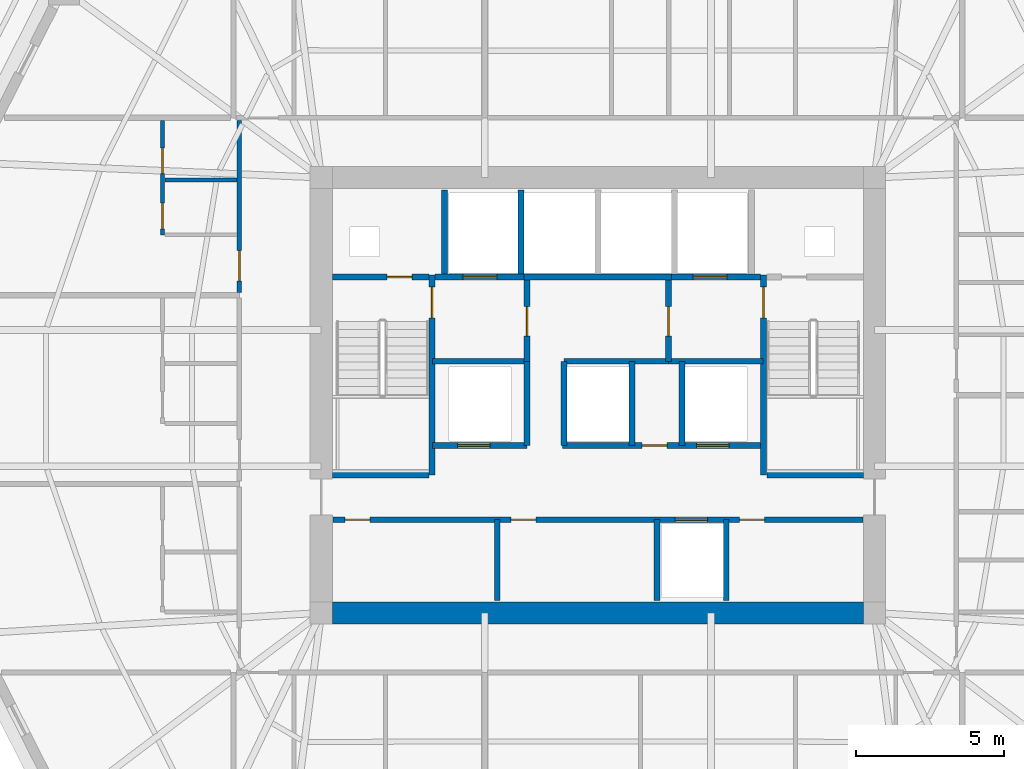
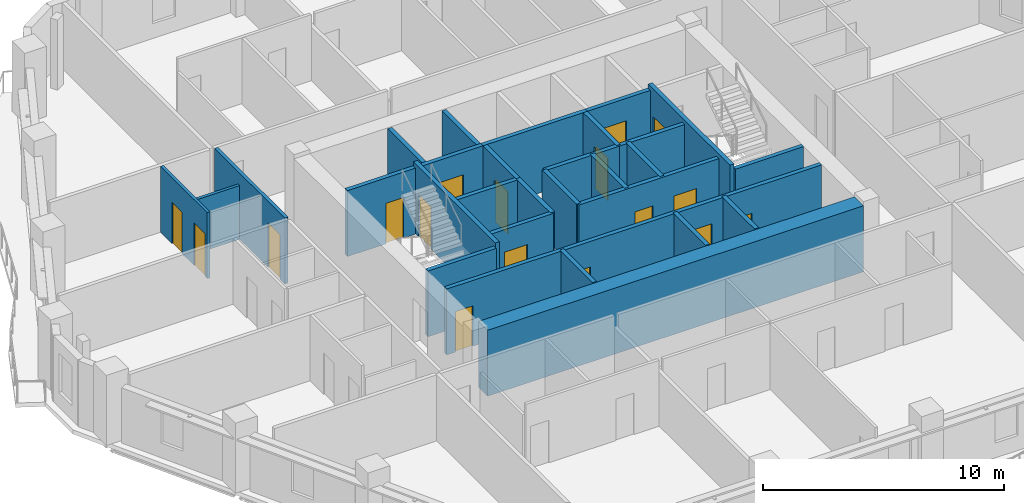
# One storey, part 5 of 12: 29 walls, 17 doors, 17 openings.
"""IFC4 building model written with IfcOpenShell, lengths in metres."""

import ifcopenshell
import ifcopenshell.guid

model = None  # the IFC model being written
_history = None  # IfcOwnerHistory: only IFC2X3 demands one
_inside = {}  # id of a spatial element -> (the spatial element, [elements in it])
_under = {}  # id of a project, library or spatial element -> (it, [spatial elements below it])
_declared = {}  # id of a project -> (the project, [libraries it declares])
_typed = {}  # id of a type object -> (the type object, [elements of that type])
_made_of = {}  # id of a material, layer set ... -> (it, [elements and type objects made of it])


def new_model(schema):
    """Start an empty IFC model of exactly this schema.

    Asked for "IFC4X3", IfcOpenShell would pick the latest addendum, in which some entities
    have other attributes; the version numbers below select the first issue.
    IFC2X3 requires an IfcOwnerHistory on every rooted entity: one is made here for all.
    """
    global model, _history
    if schema == "IFC4X3":
        model = ifcopenshell.file(schema_version=(4, 3, 0, 0))
    else:
        model = ifcopenshell.file(schema=schema)
    _inside.clear()
    _under.clear()
    _declared.clear()
    _typed.clear()
    _made_of.clear()
    _history = None
    if model.schema == "IFC2X3":
        org = make("IfcOrganization", Name="unknown")
        user = make(
            "IfcPersonAndOrganization",
            ThePerson=make("IfcPerson", FamilyName="unknown"),
            TheOrganization=org,
        )
        app = make(
            "IfcApplication",
            ApplicationDeveloper=org,
            Version="unknown",
            ApplicationFullName="unknown",
            ApplicationIdentifier="unknown",
        )
        _history = make(
            "IfcOwnerHistory",
            OwningUser=user,
            OwningApplication=app,
            ChangeAction="ADDED",
            CreationDate=0,
        )
    return model


def make(cls, **values):
    """One entity of the class cls with the attributes given. An attribute that is None is left unset."""
    return model.create_entity(
        cls, **{name: value for name, value in values.items() if value is not None}
    )


def rooted(cls, **values):
    """An entity with a GlobalId (a new one), such as an element, a storey or a relation."""
    return make(cls, GlobalId=ifcopenshell.guid.new(), OwnerHistory=_history, **values)


def si_unit(unit_type, name, prefix=None):
    """IfcSIUnit, for example si_unit("LENGTHUNIT", "METRE", prefix="MILLI")."""
    return make("IfcSIUnit", UnitType=unit_type, Prefix=prefix, Name=name)


def assignment(units):
    """IfcUnitAssignment: the units of a project."""
    return None if units is None else make("IfcUnitAssignment", Units=units)


def point(xyz):
    """IfcCartesianPoint."""
    return None if xyz is None else make("IfcCartesianPoint", Coordinates=xyz)


def direction(xyz):
    """IfcDirection."""
    return None if xyz is None else make("IfcDirection", DirectionRatios=xyz)


def frame(location, z_axis=None, x_axis=None):
    """IfcAxis2Placement3D, a coordinate frame: its origin and axes. An axis left out is left unset."""
    return make(
        "IfcAxis2Placement3D",
        Location=point(location),
        Axis=direction(z_axis),
        RefDirection=direction(x_axis),
    )


def frame_2d(location, x_axis=None):
    """IfcAxis2Placement2D, a coordinate frame in the plane: its origin and x axis."""
    return make(
        "IfcAxis2Placement2D", Location=point(location), RefDirection=direction(x_axis)
    )


def origin():
    """The frame at (0, 0, 0) with its axes left unset."""
    return frame((0.0, 0.0, 0.0))


def place(relative_to, where):
    """IfcLocalPlacement: puts the frame where relative to a parent placement (None: the world)."""
    return make(
        "IfcLocalPlacement", PlacementRelTo=relative_to, RelativePlacement=where
    )


def context(
    kind, dimensions, precision=None, world=None, true_north=None, identifier=None
):
    """IfcGeometricRepresentationContext, for example the 3D "Model" context."""
    return make(
        "IfcGeometricRepresentationContext",
        ContextIdentifier=identifier,
        ContextType=kind,
        CoordinateSpaceDimension=dimensions,
        Precision=precision,
        WorldCoordinateSystem=world,
        TrueNorth=true_north,
    )


def subcontext(parent, identifier, kind, view, scale=None):
    """IfcGeometricRepresentationSubContext, for example "Body" below "Model"."""
    return make(
        "IfcGeometricRepresentationSubContext",
        ContextIdentifier=identifier,
        ContextType=kind,
        ParentContext=parent,
        TargetScale=scale,
        TargetView=view,
    )


def project(units=None, contexts=None):
    """IfcProject with its units and contexts."""
    return rooted(
        "IfcProject",
        Name="project",
        RepresentationContexts=contexts,
        UnitsInContext=assignment(units),
    )


def spatial(cls, under=None, at=None, **own):
    """A site, building, storey or space (cls), placed at a placement, below another one or the project."""
    s = rooted(cls, ObjectPlacement=at, **own)
    if under is not None:
        _under.setdefault(under.id(), (under, []))[1].append(s)
    return s


def profile(cls, at=None, kind="AREA", **sizes):
    """A parametric profile (cls). Its sizes go by their IFC names, for example OverallWidth=200.0."""
    return make(cls, ProfileType=kind, Position=at, **sizes)


def rectangle(**sizes):
    """IfcRectangleProfileDef."""
    return profile("IfcRectangleProfileDef", **sizes)


def extrude(swept, where, along, depth):
    """IfcExtrudedAreaSolid: the profile swept, set in the frame where, extruded along a direction by depth."""
    return make(
        "IfcExtrudedAreaSolid",
        SweptArea=swept,
        Position=where,
        ExtrudedDirection=direction(along),
        Depth=depth,
    )


def shape(context_of_items, identifier, shape_type, items):
    """IfcShapeRepresentation: the items that make up one representation, for example the "Body"."""
    return make(
        "IfcShapeRepresentation",
        ContextOfItems=context_of_items,
        RepresentationIdentifier=identifier,
        RepresentationType=shape_type,
        Items=items,
    )


def material(Name=None, Category=None):
    """IfcMaterial."""
    return make("IfcMaterial", Name=Name, Category=Category)


def layer(
    of_material, thickness, ventilated=None, Name=None, Category=None, Priority=None
):
    """IfcMaterialLayer: one layer of a wall or slab, of a material (None: an air gap)."""
    return make(
        "IfcMaterialLayer",
        Material=of_material,
        LayerThickness=thickness,
        IsVentilated=ventilated,
        Name=Name,
        Category=Category,
        Priority=Priority,
    )


def layer_set(layers, Name=None):
    """IfcMaterialLayerSet."""
    return make("IfcMaterialLayerSet", MaterialLayers=layers, LayerSetName=Name)


def made_of(thing, what):
    """Note that an element or type object is made of a material, layer set ...; save() writes the relation."""
    if what is not None:
        _made_of.setdefault(what.id(), (what, []))[1].append(thing)
    return thing


def type_object(cls, material=None, **own):
    """A type object (cls), such as IfcWallType, which elements share."""
    return made_of(rooted(cls, **own), material)


def element(
    cls,
    number,
    at=None,
    inside=None,
    cuts=None,
    type_object=None,
    material=None,
    context=None,
    identifier="Body",
    shape_type=None,
    held_by="IfcProductDefinitionShape",
    body=None,
    shapes=None,
    **own,
):
    """One element of the class cls, such as IfcWall. Its Tag is "e" and its number.

    at: its placement. inside: the storey or other place that contains it. cuts: it is an
    opening in that element (IfcRelVoidsElement). A single representation is given by context,
    identifier, shape_type and body (its items); several are given by shapes. held_by: the class
    of the entity that holds the representations. save() writes the other relations.
    """
    e = rooted(cls, Tag="e%d" % number, ObjectPlacement=at, **own)
    if body is not None:
        shapes = [shape(context, identifier, shape_type, body)]
    if shapes is not None:
        e.Representation = make(held_by, Representations=shapes)
    if inside is not None:
        _inside.setdefault(inside.id(), (inside, []))[1].append(e)
    if cuts is not None:
        rooted(
            "IfcRelVoidsElement", RelatingBuildingElement=cuts, RelatedOpeningElement=e
        )
    if type_object is not None:
        _typed.setdefault(type_object.id(), (type_object, []))[1].append(e)
    return made_of(e, material)


def fill(opening, filler):
    """IfcRelFillsElement: the door or window that sits in an opening."""
    return rooted(
        "IfcRelFillsElement",
        RelatingOpeningElement=opening,
        RelatedBuildingElement=filler,
    )


def aggregate(whole, parts):
    """IfcRelAggregates: a whole, such as a stair, and the parts it consists of."""
    return rooted("IfcRelAggregates", RelatingObject=whole, RelatedObjects=parts)


def save(model, path):
    """Write the relations noted so far, then the file.

    IfcRelAggregates (storeys below a building ...), IfcRelContainedInSpatialStructure (elements
    in a storey), IfcRelDefinesByType, IfcRelAssociatesMaterial and IfcRelDeclares: one each for
    every whole, place, type object, material and project.
    """
    for whole, parts in _under.values():
        aggregate(whole, parts)
    for where, things in _inside.values():
        rooted(
            "IfcRelContainedInSpatialStructure",
            RelatedElements=things,
            RelatingStructure=where,
        )
    for kind, things in _typed.values():
        rooted("IfcRelDefinesByType", RelatedObjects=things, RelatingType=kind)
    for what, things in _made_of.values():
        rooted("IfcRelAssociatesMaterial", RelatedObjects=things, RelatingMaterial=what)
    for by, libraries in _declared.values():
        rooted("IfcRelDeclares", RelatingContext=by, RelatedDefinitions=libraries)
    model.write(path)


model = new_model("IFC4")

# Units and contexts
model_context = context("Model", 3, precision=1e-05, world=origin(), true_north=direction((0.0, 1.0)))
body_context = subcontext(model_context, "Body", "Model", "MODEL_VIEW")
ifc_project = project(units=[si_unit("LENGTHUNIT", "METRE"), si_unit("AREAUNIT", "SQUARE_METRE"), si_unit("VOLUMEUNIT", "CUBIC_METRE"), si_unit("PLANEANGLEUNIT", "RADIAN"), si_unit("MASSUNIT", "GRAM", prefix="KILO")], contexts=[model_context])

# Site, building, storey
site_placement = place(None, origin())
site = spatial("IfcSite", under=ifc_project, at=site_placement, CompositionType="ELEMENT")
building_placement = place(site_placement, origin())
building = spatial("IfcBuilding", under=site, at=building_placement, Name="Cinnabar Lancet Tower", CompositionType="ELEMENT")
storey_placement = place(building_placement, frame((0.0, 0.0, 137.449951171875)))
storey = spatial("IfcBuildingStorey", under=building, at=storey_placement, Name="L36", CompositionType="ELEMENT", Elevation=137.449951171875)

# Wall, opening, door
ifc_material_1 = material(Name="Acoustic twin-stud gypsum partition", Category="gypsum")
ifc_layer_1 = layer(ifc_material_1, 0.159912109375)
ifc_layer_set_1 = layer_set([ifc_layer_1], Name="Acoustic twin-stud gypsum partition")
wall_type_1 = type_object("IfcWallType", Name="ARC-WL-CORR-160", PredefinedType="PARTITIONING", material=ifc_layer_set_1)
wall_1_placement = place(storey_placement, frame((20.25, 29.37890625, 0.0), z_axis=(0.0, 0.0, 1.0), x_axis=(0.0, 1.0, 0.0)))
wall_1 = element("IfcWall", 1, at=wall_1_placement, inside=storey, type_object=wall_type_1, Name="UW-L36-W03-COR", PredefinedType="PARTITIONING", context=body_context, shape_type="SweptSolid", body=[
    extrude(rectangle(XDim=5.826171875, YDim=0.159912109375, at=frame_2d((2.9130859375, 0.0))), origin(), (0.0, 0.0, 1.0), 3.340087890625),
])
opening_1_placement = place(wall_1_placement, frame((0.39990234375, 0.0, 0.0)))
opening_1 = element("IfcOpeningElement", 2, at=opening_1_placement, cuts=wall_1, Name="Opening UD-01", PredefinedType="OPENING", context=body_context, shape_type="SweptSolid", body=[
    extrude(rectangle(XDim=1.02001953125, YDim=2.25, at=frame_2d((0.510009765625, 1.125))), frame((0.0, 0.08984375, 0.0), z_axis=(0.0, -1.0, 0.0), x_axis=(1.0, 0.0, 0.0)), (0.0, 0.0, 1.0), 0.179931640625),
])
ifc_material_2 = material(Name="Solid timber fire-rated apartment entrance door", Category="wood")
door_type_1 = type_object("IfcDoorType", Name="ARC-DR-UNIT", OperationType="NOTDEFINED", PredefinedType="DOOR", material=ifc_material_2)
door_1_placement = place(opening_1_placement, origin())
door_1 = element("IfcDoor", 3, at=door_1_placement, inside=storey, type_object=door_type_1, Name="DR-L36-W03-ENT", OperationType="SINGLE_SWING_LEFT", OverallHeight=2.25, OverallWidth=1.02001953125, PredefinedType="DOOR", context=body_context, shape_type="SweptSolid", body=[
    extrude(rectangle(XDim=1.02001953125, YDim=2.25, at=frame_2d((0.510009765625, 1.125))), frame((0.0, 0.02490234375, 0.0), z_axis=(0.0, -1.0, 0.0), x_axis=(1.0, 0.0, 0.0)), (0.0, 0.0, 1.0), 0.050048828125),
])
fill(opening_1, door_1)

# Walls
ifc_material_3 = material(Name="Autoclaved aerated concrete blockwork", Category="masonry")
ifc_layer_2 = layer(ifc_material_3, 0.199951171875)
ifc_layer_set_2 = layer_set([ifc_layer_2], Name="Autoclaved aerated concrete blockwork")
wall_type_2 = type_object("IfcWallType", Name="ARC-WL-SHAFT-200", PredefinedType="PLUMBINGWALL", material=ifc_layer_set_2)
for number, where, z_axis, x_axis, name in (
    (4, (23.405029296875, 23.199951171875, 0.0), (0.0, 0.0, 1.0), (1.0, 0.0, 0.0), "CW-ST1S-L36"),
    (5, (38.125, 23.199951171875, 0.0), (0.0, 0.0, 1.0), (1.0, 0.0, 0.0), "CW-ST2S-L36"),
):
    element("IfcWall", number, at=place(storey_placement, frame(where, z_axis=z_axis, x_axis=x_axis)), inside=storey, type_object=wall_type_2, Name=name, PredefinedType="PLUMBINGWALL", context=body_context, shape_type="SweptSolid", body=[
        extrude(rectangle(XDim=3.27001953125, YDim=0.199951171875, at=frame_2d((1.635009765625, 0.0))), origin(), (0.0, 0.0, 1.0), 3.340087890625),
    ])

# Wall, opening, door
wall_2_placement = place(storey_placement, frame((23.405029296875, 29.89990234375, 0.0), z_axis=(0.0, 0.0, 1.0), x_axis=(1.0, 0.0, 0.0)))
wall_2 = element("IfcWall", 6, at=wall_2_placement, inside=storey, type_object=wall_type_2, Name="CW-NSH-W-L36", PredefinedType="PLUMBINGWALL", context=body_context, shape_type="SweptSolid", body=[
    extrude(rectangle(XDim=3.27001953125, YDim=0.199951171875, at=frame_2d((1.635009765625, 0.0))), origin(), (0.0, 0.0, 1.0), 3.340087890625),
])
opening_2_placement = place(wall_2_placement, frame((1.85009765625, 0.0, 0.0)))
opening_2 = element("IfcOpeningElement", 7, at=opening_2_placement, cuts=wall_2, Name="Opening PD-02", PredefinedType="OPENING", context=body_context, shape_type="SweptSolid", body=[
    extrude(rectangle(XDim=0.85009765625, YDim=2.050048828125, at=frame_2d((0.425048828125, 1.02490234375))), frame((0.0, 0.10986328125, 0.0), z_axis=(0.0, -1.0, 0.0), x_axis=(1.0, 0.0, 0.0)), (0.0, 0.0, 1.0), 0.219970703125),
])
ifc_material_4 = material(Name="Fire-rated steel riser access door", Category="steel")
door_type_2 = type_object("IfcDoorType", Name="ARC-DR-RISER", OperationType="NOTDEFINED", PredefinedType="DOOR", material=ifc_material_4)
door_2_placement = place(opening_2_placement, origin())
door_2 = element("IfcDoor", 8, at=door_2_placement, inside=storey, type_object=door_type_2, Name="L36 West Riser Access Door", OperationType="SINGLE_SWING_LEFT", OverallHeight=2.050048828125, OverallWidth=0.85009765625, PredefinedType="DOOR", context=body_context, shape_type="SweptSolid", body=[
    extrude(rectangle(XDim=0.85009765625, YDim=2.050048828125, at=frame_2d((0.425048828125, 1.02490234375))), frame((0.0, 0.02490234375, 0.0), z_axis=(0.0, -1.0, 0.0), x_axis=(1.0, 0.0, 0.0)), (0.0, 0.0, 1.0), 0.050048828125),
])
fill(opening_2, door_2)

wall_3_placement = place(storey_placement, frame((26.885009765625, 29.89990234375, 0.0), z_axis=(0.0, 0.0, 1.0), x_axis=(1.0, 0.0, 0.0)))
wall_3 = element("IfcWall", 9, at=wall_3_placement, inside=storey, type_object=wall_type_2, Name="CW-FL1-L36", PredefinedType="PLUMBINGWALL", context=body_context, shape_type="SweptSolid", body=[
    extrude(rectangle(XDim=3.014892578125, YDim=0.199951171875, at=frame_2d((1.50732421875, 0.0))), origin(), (0.0, 0.0, 1.0), 3.340087890625),
])
opening_3_placement = place(wall_3_placement, frame((0.93994140625, 0.0, 0.0)))
opening_3 = element("IfcOpeningElement", 10, at=opening_3_placement, cuts=wall_3, Name="Opening LD-02", PredefinedType="OPENING", context=body_context, shape_type="SweptSolid", body=[
    extrude(rectangle(XDim=1.14990234375, YDim=2.199951171875, at=frame_2d((0.574951171875, 1.10009765625))), frame((0.0, 0.10986328125, 0.0), z_axis=(0.0, -1.0, 0.0), x_axis=(1.0, 0.0, 0.0)), (0.0, 0.0, 1.0), 0.219970703125),
])
ifc_material_5 = material(Name="Fire-rated stainless steel firefighting lift landing door", Category="steel")
door_type_3 = type_object("IfcDoorType", Name="ARC-DR-LD-FIRE", OperationType="NOTDEFINED", PredefinedType="DOOR", material=ifc_material_5)
door_3_placement = place(opening_3_placement, origin())
door_3 = element("IfcDoor", 11, at=door_3_placement, inside=storey, type_object=door_type_3, Name="L36 Firefighting Lift FL-1 Landing Door", OperationType="DOUBLE_DOOR_SLIDING", OverallHeight=2.199951171875, OverallWidth=1.14990234375, PredefinedType="DOOR", context=body_context, shape_type="SweptSolid", body=[
    extrude(rectangle(XDim=1.14990234375, YDim=2.199951171875, at=frame_2d((0.574951171875, 1.10009765625))), frame((0.0, 0.02490234375, 0.0), z_axis=(0.0, -1.0, 0.0), x_axis=(1.0, 0.0, 0.0)), (0.0, 0.0, 1.0), 0.050048828125),
])
fill(opening_3, door_3)

# Wall
wall_4_placement = place(storey_placement, frame((29.89990234375, 29.89990234375, 0.0), z_axis=(0.0, 0.0, 1.0), x_axis=(1.0, 0.0, 0.0)))
element("IfcWall", 12, at=wall_4_placement, inside=storey, type_object=wall_type_2, Name="CW-PL78-L36", PredefinedType="PLUMBINGWALL", context=body_context, shape_type="SweptSolid", body=[
    extrude(rectangle(XDim=5.0, YDim=0.199951171875, at=frame_2d((2.5, 0.0))), origin(), (0.0, 0.0, 1.0), 3.340087890625),
])

# Wall, opening, door
wall_5_placement = place(storey_placement, frame((34.89990234375, 29.89990234375, 0.0), z_axis=(0.0, 0.0, 1.0), x_axis=(1.0, 0.0, 0.0)))
wall_5 = element("IfcWall", 13, at=wall_5_placement, inside=storey, type_object=wall_type_2, Name="CW-FL2-L36", PredefinedType="PLUMBINGWALL", context=body_context, shape_type="SweptSolid", body=[
    extrude(rectangle(XDim=3.01513671875, YDim=0.199951171875, at=frame_2d((1.507568359375, 0.0))), origin(), (0.0, 0.0, 1.0), 3.340087890625),
])
opening_4_placement = place(wall_5_placement, frame((0.72509765625, 0.0, 0.0)))
opening_4 = element("IfcOpeningElement", 14, at=opening_4_placement, cuts=wall_5, Name="Opening LD-02", PredefinedType="OPENING", context=body_context, shape_type="SweptSolid", body=[
    extrude(rectangle(XDim=1.14990234375, YDim=2.199951171875, at=frame_2d((0.574951171875, 1.10009765625))), frame((0.0, 0.10986328125, 0.0), z_axis=(0.0, -1.0, 0.0), x_axis=(1.0, 0.0, 0.0)), (0.0, 0.0, 1.0), 0.219970703125),
])
door_4_placement = place(opening_4_placement, origin())
door_4 = element("IfcDoor", 15, at=door_4_placement, inside=storey, type_object=door_type_3, Name="L36 Firefighting Lift FL-2 Landing Door", OperationType="DOUBLE_DOOR_SLIDING", OverallHeight=2.199951171875, OverallWidth=1.14990234375, PredefinedType="DOOR", context=body_context, shape_type="SweptSolid", body=[
    extrude(rectangle(XDim=1.14990234375, YDim=2.199951171875, at=frame_2d((0.574951171875, 1.10009765625))), frame((0.0, 0.02490234375, 0.0), z_axis=(0.0, -1.0, 0.0), x_axis=(1.0, 0.0, 0.0)), (0.0, 0.0, 1.0), 0.050048828125),
])
fill(opening_4, door_4)

# Walls
for number, where, z_axis, x_axis, name in (
    (16, (27.199951171875, 30.0, 0.0), (0.0, 0.0, 1.0), (0.0, 1.0, 0.0), "CW-NSH-D1-L36"),
    (17, (29.800048828125, 30.0, 0.0), (0.0, 0.0, 1.0), (0.0, 1.0, 0.0), "CW-NSH-D2-L36"),
):
    element("IfcWall", number, at=place(storey_placement, frame(where, z_axis=z_axis, x_axis=x_axis)), inside=storey, type_object=wall_type_2, Name=name, PredefinedType="PLUMBINGWALL", context=body_context, shape_type="SweptSolid", body=[
        extrude(rectangle(XDim=2.85009765625, YDim=0.199951171875, at=frame_2d((1.425048828125, 0.0))), origin(), (0.0, 0.0, 1.0), 3.340087890625),
    ])

# Wall, opening, door
wall_6_placement = place(storey_placement, frame((30.0, 27.050048828125, 0.0), z_axis=(0.0, 0.0, 1.0), x_axis=(0.0, 1.0, 0.0)))
wall_6 = element("IfcWall", 18, at=wall_6_placement, inside=storey, type_object=wall_type_2, Name="CW-FF1E-L36", PredefinedType="PLUMBINGWALL", context=body_context, shape_type="SweptSolid", body=[
    extrude(rectangle(XDim=2.75, YDim=0.199951171875, at=frame_2d((1.375, 0.0))), origin(), (0.0, 0.0, 1.0), 3.340087890625),
])
opening_5_placement = place(wall_6_placement, frame((0.85009765625, 0.0, 0.0)))
opening_5 = element("IfcOpeningElement", 19, at=opening_5_placement, cuts=wall_6, Name="Opening FD-01", PredefinedType="OPENING", context=body_context, shape_type="SweptSolid", body=[
    extrude(rectangle(XDim=1.0, YDim=2.14990234375, at=frame_2d((0.5, 1.074951171875))), frame((0.0, 0.10986328125, 0.0), z_axis=(0.0, -1.0, 0.0), x_axis=(1.0, 0.0, 0.0)), (0.0, 0.0, 1.0), 0.219970703125),
])
ifc_material_6 = material(Name="Fire-rated timber-core lobby door", Category="wood")
door_type_4 = type_object("IfcDoorType", Name="ARC-DR-FFAL", OperationType="NOTDEFINED", PredefinedType="DOOR", material=ifc_material_6)
door_5_placement = place(opening_5_placement, origin())
door_5 = element("IfcDoor", 20, at=door_5_placement, inside=storey, type_object=door_type_4, Name="L36 FFAL-1 Lobby Fire Door", OperationType="SINGLE_SWING_RIGHT", OverallHeight=2.14990234375, OverallWidth=1.0, PredefinedType="DOOR", context=body_context, shape_type="SweptSolid", body=[
    extrude(rectangle(XDim=1.0, YDim=2.14990234375, at=frame_2d((0.5, 1.074951171875))), frame((0.0, 0.02490234375, 0.0), z_axis=(0.0, -1.0, 0.0), x_axis=(1.0, 0.0, 0.0)), (0.0, 0.0, 1.0), 0.050048828125),
])
fill(opening_5, door_5)

# Wall
wall_7_placement = place(storey_placement, frame((26.800048828125, 27.050048828125, 0.0), z_axis=(0.0, 0.0, 1.0), x_axis=(1.0, 0.0, 0.0)))
element("IfcWall", 21, at=wall_7_placement, inside=storey, type_object=wall_type_2, Name="CW-FF1S-L36", PredefinedType="PLUMBINGWALL", context=body_context, shape_type="SweptSolid", body=[
    extrude(rectangle(XDim=3.199951171875, YDim=0.199951171875, at=frame_2d((1.60009765625, 0.0))), origin(), (0.0, 0.0, 1.0), 3.340087890625),
])

# Wall, opening, door
wall_8_placement = place(storey_placement, frame((34.800048828125, 27.050048828125, 0.0), z_axis=(0.0, 0.0, 1.0), x_axis=(0.0, 1.0, 0.0)))
wall_8 = element("IfcWall", 22, at=wall_8_placement, inside=storey, type_object=wall_type_2, Name="CW-FF2W-L36", PredefinedType="PLUMBINGWALL", context=body_context, shape_type="SweptSolid", body=[
    extrude(rectangle(XDim=2.75, YDim=0.199951171875, at=frame_2d((1.375, 0.0))), origin(), (0.0, 0.0, 1.0), 3.340087890625),
])
opening_6_placement = place(wall_8_placement, frame((0.85009765625, 0.0, 0.0)))
opening_6 = element("IfcOpeningElement", 23, at=opening_6_placement, cuts=wall_8, Name="Opening FD-01", PredefinedType="OPENING", context=body_context, shape_type="SweptSolid", body=[
    extrude(rectangle(XDim=1.0, YDim=2.14990234375, at=frame_2d((0.5, 1.074951171875))), frame((0.0, 0.10986328125, 0.0), z_axis=(0.0, -1.0, 0.0), x_axis=(1.0, 0.0, 0.0)), (0.0, 0.0, 1.0), 0.219970703125),
])
door_6_placement = place(opening_6_placement, origin())
door_6 = element("IfcDoor", 24, at=door_6_placement, inside=storey, type_object=door_type_4, Name="L36 FFAL-2 Lobby Fire Door", OperationType="SINGLE_SWING_LEFT", OverallHeight=2.14990234375, OverallWidth=1.0, PredefinedType="DOOR", context=body_context, shape_type="SweptSolid", body=[
    extrude(rectangle(XDim=1.0, YDim=2.14990234375, at=frame_2d((0.5, 1.074951171875))), frame((0.0, 0.02490234375, 0.0), z_axis=(0.0, -1.0, 0.0), x_axis=(1.0, 0.0, 0.0)), (0.0, 0.0, 1.0), 0.050048828125),
])
fill(opening_6, door_6)

# Wall
wall_9_placement = place(storey_placement, frame((34.800048828125, 27.050048828125, 0.0), z_axis=(0.0, 0.0, 1.0), x_axis=(1.0, 0.0, 0.0)))
element("IfcWall", 25, at=wall_9_placement, inside=storey, type_object=wall_type_2, Name="CW-FF2S-L36", PredefinedType="PLUMBINGWALL", context=body_context, shape_type="SweptSolid", body=[
    extrude(rectangle(XDim=3.199951171875, YDim=0.199951171875, at=frame_2d((1.60009765625, 0.0))), origin(), (0.0, 0.0, 1.0), 3.340087890625),
])

# Wall, opening, door
wall_10_placement = place(storey_placement, frame((26.800048828125, 24.199951171875, 0.0), z_axis=(0.0, 0.0, 1.0), x_axis=(1.0, 0.0, 0.0)))
wall_10 = element("IfcWall", 26, at=wall_10_placement, inside=storey, type_object=wall_type_2, Name="CW-PL5S-L36", PredefinedType="PLUMBINGWALL", context=body_context, shape_type="SweptSolid", body=[
    extrude(rectangle(XDim=3.199951171875, YDim=0.199951171875, at=frame_2d((1.60009765625, 0.0))), origin(), (0.0, 0.0, 1.0), 3.340087890625),
])
opening_7_placement = place(wall_10_placement, frame((0.85009765625, 0.0, 0.0)))
opening_7 = element("IfcOpeningElement", 27, at=opening_7_placement, cuts=wall_10, Name="Opening LD-01", PredefinedType="OPENING", context=body_context, shape_type="SweptSolid", body=[
    extrude(rectangle(XDim=1.10009765625, YDim=2.199951171875, at=frame_2d((0.550048828125, 1.10009765625))), frame((0.0, 0.10986328125, 0.0), z_axis=(0.0, -1.0, 0.0), x_axis=(1.0, 0.0, 0.0)), (0.0, 0.0, 1.0), 0.219970703125),
])
ifc_material_7 = material(Name="Brushed stainless steel sliding lift door", Category="steel")
door_type_5 = type_object("IfcDoorType", Name="ARC-DR-LD-PASS", OperationType="NOTDEFINED", PredefinedType="DOOR", material=ifc_material_7)
door_7_placement = place(opening_7_placement, origin())
door_7 = element("IfcDoor", 28, at=door_7_placement, inside=storey, type_object=door_type_5, Name="L36 Lift PL-5 Landing Door", OperationType="DOUBLE_DOOR_SLIDING", OverallHeight=2.199951171875, OverallWidth=1.10009765625, PredefinedType="DOOR", context=body_context, shape_type="SweptSolid", body=[
    extrude(rectangle(XDim=1.10009765625, YDim=2.199951171875, at=frame_2d((0.550048828125, 1.10009765625))), frame((0.0, 0.02490234375, 0.0), z_axis=(0.0, -1.0, 0.0), x_axis=(1.0, 0.0, 0.0)), (0.0, 0.0, 1.0), 0.050048828125),
])
fill(opening_7, door_7)

# Wall
wall_11_placement = place(storey_placement, frame((30.0, 24.199951171875, 0.0), z_axis=(0.0, 0.0, 1.0), x_axis=(0.0, 1.0, 0.0)))
element("IfcWall", 29, at=wall_11_placement, inside=storey, type_object=wall_type_2, Name="CW-PL5E-L36", PredefinedType="PLUMBINGWALL", context=body_context, shape_type="SweptSolid", body=[
    extrude(rectangle(XDim=2.85009765625, YDim=0.199951171875, at=frame_2d((1.425048828125, 0.0))), origin(), (0.0, 0.0, 1.0), 3.340087890625),
])

# Wall, openings, doors
wall_12_placement = place(storey_placement, frame((31.199951171875, 24.199951171875, 0.0), z_axis=(0.0, 0.0, 1.0), x_axis=(1.0, 0.0, 0.0)))
wall_12 = element("IfcWall", 30, at=wall_12_placement, inside=storey, type_object=wall_type_2, Name="CW-PL96S-L36", PredefinedType="PLUMBINGWALL", context=body_context, shape_type="SweptSolid", body=[
    extrude(rectangle(XDim=6.800048828125, YDim=0.199951171875, at=frame_2d((3.39990234375, 0.0))), origin(), (0.0, 0.0, 1.0), 3.340087890625),
])
opening_8_placement = place(wall_12_placement, frame((2.699951171875, 0.0, 0.0)))
opening_8 = element("IfcOpeningElement", 31, at=opening_8_placement, cuts=wall_12, Name="Opening PD-02", PredefinedType="OPENING", context=body_context, shape_type="SweptSolid", body=[
    extrude(rectangle(XDim=0.85009765625, YDim=2.050048828125, at=frame_2d((0.425048828125, 1.02490234375))), frame((0.0, 0.10986328125, 0.0), z_axis=(0.0, -1.0, 0.0), x_axis=(1.0, 0.0, 0.0)), (0.0, 0.0, 1.0), 0.219970703125),
])
opening_9_placement = place(wall_12_placement, frame((4.550048828125, 0.0, 0.0)))
opening_9 = element("IfcOpeningElement", 32, at=opening_9_placement, cuts=wall_12, Name="Opening LD-01", PredefinedType="OPENING", context=body_context, shape_type="SweptSolid", body=[
    extrude(rectangle(XDim=1.10009765625, YDim=2.199951171875, at=frame_2d((0.550048828125, 1.10009765625))), frame((0.0, 0.10986328125, 0.0), z_axis=(0.0, -1.0, 0.0), x_axis=(1.0, 0.0, 0.0)), (0.0, 0.0, 1.0), 0.219970703125),
])
door_8_placement = place(opening_9_placement, origin())
door_8 = element("IfcDoor", 33, at=door_8_placement, inside=storey, type_object=door_type_5, Name="L36 Lift PL-6 Landing Door", OperationType="DOUBLE_DOOR_SLIDING", OverallHeight=2.199951171875, OverallWidth=1.10009765625, PredefinedType="DOOR", context=body_context, shape_type="SweptSolid", body=[
    extrude(rectangle(XDim=1.10009765625, YDim=2.199951171875, at=frame_2d((0.550048828125, 1.10009765625))), frame((0.0, 0.02490234375, 0.0), z_axis=(0.0, -1.0, 0.0), x_axis=(1.0, 0.0, 0.0)), (0.0, 0.0, 1.0), 0.050048828125),
])
fill(opening_9, door_8)
door_9_placement = place(opening_8_placement, origin())
door_9 = element("IfcDoor", 34, at=door_9_placement, inside=storey, type_object=door_type_2, Name="L36 BMS Closet Door", OperationType="SINGLE_SWING_LEFT", OverallHeight=2.050048828125, OverallWidth=0.85009765625, PredefinedType="DOOR", context=body_context, shape_type="SweptSolid", body=[
    extrude(rectangle(XDim=0.85009765625, YDim=2.050048828125, at=frame_2d((0.425048828125, 1.02490234375))), frame((0.0, 0.02490234375, 0.0), z_axis=(0.0, -1.0, 0.0), x_axis=(1.0, 0.0, 0.0)), (0.0, 0.0, 1.0), 0.050048828125),
])
fill(opening_8, door_9)

# Walls
for number, where, z_axis, x_axis, name in (
    (35, (31.25, 24.199951171875, 0.0), (0.0, 0.0, 1.0), (0.0, 1.0, 0.0), "CW-PL9W-L36"),
    (36, (33.550048828125, 24.199951171875, 0.0), (0.0, 0.0, 1.0), (0.0, 1.0, 0.0), "CW-PL9E-L36"),
    (37, (35.25, 24.199951171875, 0.0), (0.0, 0.0, 1.0), (0.0, 1.0, 0.0), "CW-PL6W-L36"),
):
    element("IfcWall", number, at=place(storey_placement, frame(where, z_axis=z_axis, x_axis=x_axis)), inside=storey, type_object=wall_type_2, Name=name, PredefinedType="PLUMBINGWALL", context=body_context, shape_type="SweptSolid", body=[
        extrude(rectangle(XDim=2.85009765625, YDim=0.199951171875, at=frame_2d((1.425048828125, 0.0))), origin(), (0.0, 0.0, 1.0), 3.340087890625),
    ])
wall_13_placement = place(storey_placement, frame((31.25, 27.050048828125, 0.0), z_axis=(0.0, 0.0, 1.0), x_axis=(1.0, 0.0, 0.0)))
element("IfcWall", 38, at=wall_13_placement, inside=storey, type_object=wall_type_2, Name="CW-PL96N-L36", PredefinedType="PLUMBINGWALL", context=body_context, shape_type="SweptSolid", body=[
    extrude(rectangle(XDim=3.550048828125, YDim=0.199951171875, at=frame_2d((1.77490234375, 0.0))), origin(), (0.0, 0.0, 1.0), 3.340087890625),
])

# Wall, openings, doors
wall_14_placement = place(storey_placement, frame((23.419921875, 21.679931640625, 0.0), z_axis=(0.0, 0.0, 1.0), x_axis=(1.0, 0.0, 0.0)))
wall_14 = element("IfcWall", 39, at=wall_14_placement, inside=storey, type_object=wall_type_2, Name="CW-SBANDN-L36", PredefinedType="PLUMBINGWALL", context=body_context, shape_type="SweptSolid", body=[
    extrude(rectangle(XDim=17.9599609375, YDim=0.199951171875, at=frame_2d((8.97998046875, 0.0))), origin(), (0.0, 0.0, 1.0), 3.340087890625),
])
opening_10_placement = place(wall_14_placement, frame((11.60009765625, 0.0, 0.0)))
opening_10 = element("IfcOpeningElement", 40, at=opening_10_placement, cuts=wall_14, Name="Opening LD-01", PredefinedType="OPENING", context=body_context, shape_type="SweptSolid", body=[
    extrude(rectangle(XDim=1.10009765625, YDim=2.199951171875, at=frame_2d((0.550048828125, 1.10009765625))), frame((0.0, 0.10986328125, 0.0), z_axis=(0.0, -1.0, 0.0), x_axis=(1.0, 0.0, 0.0)), (0.0, 0.0, 1.0), 0.219970703125),
])
opening_11_placement = place(wall_14_placement, frame((0.409912109375, 0.0, 0.0)))
opening_11 = element("IfcOpeningElement", 41, at=opening_11_placement, cuts=wall_14, Name="Opening PD-02", PredefinedType="OPENING", context=body_context, shape_type="SweptSolid", body=[
    extrude(rectangle(XDim=0.85009765625, YDim=2.050048828125, at=frame_2d((0.425048828125, 1.02490234375))), frame((0.0, 0.10986328125, 0.0), z_axis=(0.0, -1.0, 0.0), x_axis=(1.0, 0.0, 0.0)), (0.0, 0.0, 1.0), 0.219970703125),
])
opening_12_placement = place(wall_14_placement, frame((6.030029296875, 0.0, 0.0)))
opening_12 = element("IfcOpeningElement", 42, at=opening_12_placement, cuts=wall_14, Name="Opening PD-02", PredefinedType="OPENING", context=body_context, shape_type="SweptSolid", body=[
    extrude(rectangle(XDim=0.85009765625, YDim=2.050048828125, at=frame_2d((0.425048828125, 1.02490234375))), frame((0.0, 0.10986328125, 0.0), z_axis=(0.0, -1.0, 0.0), x_axis=(1.0, 0.0, 0.0)), (0.0, 0.0, 1.0), 0.219970703125),
])
opening_13_placement = place(wall_14_placement, frame((13.780029296875, 0.0, 0.0)))
opening_13 = element("IfcOpeningElement", 43, at=opening_13_placement, cuts=wall_14, Name="Opening PD-02", PredefinedType="OPENING", context=body_context, shape_type="SweptSolid", body=[
    extrude(rectangle(XDim=0.85009765625, YDim=2.050048828125, at=frame_2d((0.425048828125, 1.02490234375))), frame((0.0, 0.10986328125, 0.0), z_axis=(0.0, -1.0, 0.0), x_axis=(1.0, 0.0, 0.0)), (0.0, 0.0, 1.0), 0.219970703125),
])
door_10_placement = place(opening_10_placement, origin())
door_10 = element("IfcDoor", 44, at=door_10_placement, inside=storey, type_object=door_type_5, Name="L36 Lift PL-4 Landing Door", OperationType="DOUBLE_DOOR_SLIDING", OverallHeight=2.199951171875, OverallWidth=1.10009765625, PredefinedType="DOOR", context=body_context, shape_type="SweptSolid", body=[
    extrude(rectangle(XDim=1.10009765625, YDim=2.199951171875, at=frame_2d((0.550048828125, 1.10009765625))), frame((0.0, 0.02490234375, 0.0), z_axis=(0.0, -1.0, 0.0), x_axis=(1.0, 0.0, 0.0)), (0.0, 0.0, 1.0), 0.050048828125),
])
fill(opening_10, door_10)
door_11_placement = place(opening_11_placement, origin())
door_11 = element("IfcDoor", 45, at=door_11_placement, inside=storey, type_object=door_type_2, Name="DR-L36-MREC1", OperationType="SINGLE_SWING_LEFT", OverallHeight=2.050048828125, OverallWidth=0.85009765625, PredefinedType="DOOR", context=body_context, shape_type="SweptSolid", body=[
    extrude(rectangle(XDim=0.85009765625, YDim=2.050048828125, at=frame_2d((0.425048828125, 1.02490234375))), frame((0.0, 0.02490234375, 0.0), z_axis=(0.0, -1.0, 0.0), x_axis=(1.0, 0.0, 0.0)), (0.0, 0.0, 1.0), 0.050048828125),
])
fill(opening_11, door_11)
door_12_placement = place(opening_12_placement, origin())
door_12 = element("IfcDoor", 46, at=door_12_placement, inside=storey, type_object=door_type_2, Name="DR-L36-MREC2", OperationType="SINGLE_SWING_RIGHT", OverallHeight=2.050048828125, OverallWidth=0.85009765625, PredefinedType="DOOR", context=body_context, shape_type="SweptSolid", body=[
    extrude(rectangle(XDim=0.85009765625, YDim=2.050048828125, at=frame_2d((0.425048828125, 1.02490234375))), frame((0.0, 0.02490234375, 0.0), z_axis=(0.0, -1.0, 0.0), x_axis=(1.0, 0.0, 0.0)), (0.0, 0.0, 1.0), 0.050048828125),
])
fill(opening_12, door_12)
door_13_placement = place(opening_13_placement, origin())
door_13 = element("IfcDoor", 47, at=door_13_placement, inside=storey, type_object=door_type_2, Name="DR-L36-MREC3", OperationType="SINGLE_SWING_LEFT", OverallHeight=2.050048828125, OverallWidth=0.85009765625, PredefinedType="DOOR", context=body_context, shape_type="SweptSolid", body=[
    extrude(rectangle(XDim=0.85009765625, YDim=2.050048828125, at=frame_2d((0.425048828125, 1.02490234375))), frame((0.0, 0.02490234375, 0.0), z_axis=(0.0, -1.0, 0.0), x_axis=(1.0, 0.0, 0.0)), (0.0, 0.0, 1.0), 0.050048828125),
])
fill(opening_13, door_13)

# Walls
for number, where, z_axis, x_axis, name in (
    (48, (34.39990234375, 18.949951171875, 0.0), (0.0, 0.0, 1.0), (0.0, 1.0, 0.0), "CW-SB-3440-L36"),
    (49, (36.75, 18.949951171875, 0.0), (0.0, 0.0, 1.0), (0.0, 1.0, 0.0), "CW-SB-3675-L36"),
    (50, (28.989990234375, 18.949951171875, 0.0), (0.0, 0.0, 1.0), (0.0, 1.0, 0.0), "CW-SB-2899-L36"),
):
    element("IfcWall", number, at=place(storey_placement, frame(where, z_axis=z_axis, x_axis=x_axis)), inside=storey, type_object=wall_type_2, Name=name, PredefinedType="PLUMBINGWALL", context=body_context, shape_type="SweptSolid", body=[
        extrude(rectangle(XDim=2.72998046875, YDim=0.199951171875, at=frame_2d((1.364990234375, 0.0))), origin(), (0.0, 0.0, 1.0), 3.340087890625),
    ])

# Wall, openings, doors
ifc_material_8 = material(Name="Moisture-resistant cement-board plumbing wall", Category="masonry")
ifc_layer_3 = layer(ifc_material_8, 0.139892578125)
ifc_layer_set_3 = layer_set([ifc_layer_3], Name="Moisture-resistant cement-board plumbing wall")
wall_type_3 = type_object("IfcWallType", Name="ARC-WL-WET-140", PredefinedType="PLUMBINGWALL", material=ifc_layer_set_3)
wall_15_placement = place(storey_placement, frame((17.64990234375, 31.333984375, 0.0), z_axis=(0.0, 0.0, 1.0), x_axis=(0.0, 1.0, 0.0)))
wall_15 = element("IfcWall", 51, at=wall_15_placement, inside=storey, type_object=wall_type_3, Name="UW-L36-W03-SPL", PredefinedType="PLUMBINGWALL", context=body_context, shape_type="SweptSolid", body=[
    extrude(rectangle(XDim=3.87109375, YDim=0.139892578125, at=frame_2d((1.935546875, 0.0))), origin(), (0.0, 0.0, 1.0), 3.340087890625),
])
opening_14_placement = place(wall_15_placement, frame((2.077880859375, 0.0, 0.0)))
opening_14 = element("IfcOpeningElement", 52, at=opening_14_placement, cuts=wall_15, Name="Opening BD-01", PredefinedType="OPENING", context=body_context, shape_type="SweptSolid", body=[
    extrude(rectangle(XDim=0.860107421875, YDim=2.10009765625, at=frame_2d((0.43017578125, 1.050048828125))), frame((0.0, 0.079833984375, 0.0), z_axis=(0.0, -1.0, 0.0), x_axis=(1.0, 0.0, 0.0)), (0.0, 0.0, 1.0), 0.159912109375),
])
opening_15_placement = place(wall_15_placement, frame((0.199951171875, 0.0, 0.0)))
opening_15 = element("IfcOpeningElement", 53, at=opening_15_placement, cuts=wall_15, Name="Opening RD-02", PredefinedType="OPENING", context=body_context, shape_type="SweptSolid", body=[
    extrude(rectangle(XDim=0.8798828125, YDim=2.14990234375, at=frame_2d((0.43994140625, 1.074951171875))), frame((0.0, 0.079833984375, 0.0), z_axis=(0.0, -1.0, 0.0), x_axis=(1.0, 0.0, 0.0)), (0.0, 0.0, 1.0), 0.159912109375),
])
ifc_material_9 = material(Name="Moisture-resistant timber bathroom door", Category="wood")
door_type_6 = type_object("IfcDoorType", Name="ARC-DR-BATH", OperationType="NOTDEFINED", PredefinedType="DOOR", material=ifc_material_9)
door_14_placement = place(opening_14_placement, origin())
door_14 = element("IfcDoor", 54, at=door_14_placement, inside=storey, type_object=door_type_6, Name="DR-L36-W03-BTH", OperationType="SINGLE_SWING_LEFT", OverallHeight=2.10009765625, OverallWidth=0.860107421875, PredefinedType="DOOR", context=body_context, shape_type="SweptSolid", body=[
    extrude(rectangle(XDim=0.860107421875, YDim=2.10009765625, at=frame_2d((0.43017578125, 1.050048828125))), frame((0.0, 0.02490234375, 0.0), z_axis=(0.0, -1.0, 0.0), x_axis=(1.0, 0.0, 0.0)), (0.0, 0.0, 1.0), 0.050048828125),
])
fill(opening_14, door_14)
ifc_material_10 = material(Name="Engineered timber study door", Category="wood")
door_type_7 = type_object("IfcDoorType", Name="ARC-DR-STUDY", OperationType="NOTDEFINED", PredefinedType="DOOR", material=ifc_material_10)
door_15_placement = place(opening_15_placement, origin())
door_15 = element("IfcDoor", 55, at=door_15_placement, inside=storey, type_object=door_type_7, Name="DR-L36-W03-KIT", OperationType="SINGLE_SWING_RIGHT", OverallHeight=2.14990234375, OverallWidth=0.8798828125, PredefinedType="DOOR", context=body_context, shape_type="SweptSolid", body=[
    extrude(rectangle(XDim=0.8798828125, YDim=2.14990234375, at=frame_2d((0.43994140625, 1.074951171875))), frame((0.0, 0.02490234375, 0.0), z_axis=(0.0, -1.0, 0.0), x_axis=(1.0, 0.0, 0.0)), (0.0, 0.0, 1.0), 0.050048828125),
])
fill(opening_15, door_15)

# Walls
wall_16_placement = place(storey_placement, frame((17.735107421875, 33.19189453125, 0.0), z_axis=(0.0, 0.0, 1.0), x_axis=(1.0, 0.0, 0.0)))
element("IfcWall", 56, at=wall_16_placement, inside=storey, type_object=wall_type_3, Name="UW-L36-W03-KDV", PredefinedType="PLUMBINGWALL", context=body_context, shape_type="SweptSolid", body=[
    extrude(rectangle(XDim=2.429931640625, YDim=0.139892578125, at=frame_2d((1.21484375, 0.0))), origin(), (0.0, 0.0, 1.0), 2.72216796875),
])
ifc_material_11 = material(Name="Concrete C70/85", Category="concrete")
ifc_layer_4 = layer(ifc_material_11, 0.75)
ifc_layer_set_4 = layer_set([ifc_layer_4], Name="Concrete C70/85")
wall_type_4 = type_object("IfcWallType", Name="STR-WL-CORE-750", PredefinedType="SHEAR", material=ifc_layer_set_4)
wall_17_placement = place(storey_placement, frame((23.39990234375, 18.52490234375, 0.0), z_axis=(0.0, 0.0, 1.0), x_axis=(1.0, 0.0, 0.0)))
element("IfcWall", 57, at=wall_17_placement, inside=storey, type_object=wall_type_4, Name="L36 Core Shear Wall S", PredefinedType="SHEAR", context=body_context, shape_type="SweptSolid", body=[
    extrude(rectangle(XDim=18.0, YDim=0.75, at=frame_2d((9.0, 0.0))), origin(), (0.0, 0.0, 1.0), 3.340087890625),
])

# Wall, opening, door
ifc_material_12 = material(Name="Concrete C50/60", Category="concrete")
ifc_layer_5 = layer(ifc_material_12, 0.199951171875)
ifc_layer_set_5 = layer_set([ifc_layer_5], Name="Concrete C50/60")
wall_type_5 = type_object("IfcWallType", Name="STR-WL-STAIR-200", PredefinedType="SHEAR", material=ifc_layer_set_5)
wall_18_placement = place(storey_placement, frame((26.780029296875, 23.199951171875, 0.0), z_axis=(0.0, 0.0, 1.0), x_axis=(0.0, 1.0, 0.0)))
wall_18 = element("IfcWall", 58, at=wall_18_placement, inside=storey, type_object=wall_type_5, Name="L36 Stair ST-1 Structural Enclosure Wall", PredefinedType="SHEAR", context=body_context, shape_type="SweptSolid", body=[
    extrude(rectangle(XDim=6.780029296875, YDim=0.199951171875, at=frame_2d((3.39013671875, 0.0))), origin(), (0.0, 0.0, 1.0), 3.550048828125),
])
opening_16_placement = place(wall_18_placement, frame((5.320068359375, 0.0, 0.0)))
opening_16 = element("IfcOpeningElement", 59, at=opening_16_placement, cuts=wall_18, Name="Opening SD-01", PredefinedType="OPENING", context=body_context, shape_type="SweptSolid", body=[
    extrude(rectangle(XDim=1.050048828125, YDim=2.14990234375, at=frame_2d((0.52490234375, 1.074951171875))), frame((0.0, 0.10986328125, 0.0), z_axis=(0.0, -1.0, 0.0), x_axis=(1.0, 0.0, 0.0)), (0.0, 0.0, 1.0), 0.219970703125),
])
ifc_material_13 = material(Name="Fire-rated steel stair exit door", Category="steel")
door_type_8 = type_object("IfcDoorType", Name="ARC-DR-STAIR", OperationType="NOTDEFINED", PredefinedType="DOOR", material=ifc_material_13)
door_16_placement = place(opening_16_placement, origin())
door_16 = element("IfcDoor", 60, at=door_16_placement, inside=storey, type_object=door_type_8, Name="L36 Stair ST-1 Fire Door", OperationType="SINGLE_SWING_LEFT", OverallHeight=2.14990234375, OverallWidth=1.050048828125, PredefinedType="DOOR", context=body_context, shape_type="SweptSolid", body=[
    extrude(rectangle(XDim=1.050048828125, YDim=2.14990234375, at=frame_2d((0.52490234375, 1.074951171875))), frame((0.0, 0.02490234375, 0.0), z_axis=(0.0, -1.0, 0.0), x_axis=(1.0, 0.0, 0.0)), (0.0, 0.0, 1.0), 0.050048828125),
])
fill(opening_16, door_16)

wall_19_placement = place(storey_placement, frame((38.02001953125, 23.199951171875, 0.0), z_axis=(0.0, 0.0, 1.0), x_axis=(0.0, 1.0, 0.0)))
wall_19 = element("IfcWall", 61, at=wall_19_placement, inside=storey, type_object=wall_type_5, Name="L36 Stair ST-2 Structural Enclosure Wall", PredefinedType="SHEAR", context=body_context, shape_type="SweptSolid", body=[
    extrude(rectangle(XDim=6.780029296875, YDim=0.199951171875, at=frame_2d((3.39013671875, 0.0))), origin(), (0.0, 0.0, 1.0), 3.550048828125),
])
opening_17_placement = place(wall_19_placement, frame((5.320068359375, 0.0, 0.0)))
opening_17 = element("IfcOpeningElement", 62, at=opening_17_placement, cuts=wall_19, Name="Opening SD-01", PredefinedType="OPENING", context=body_context, shape_type="SweptSolid", body=[
    extrude(rectangle(XDim=1.050048828125, YDim=2.14990234375, at=frame_2d((0.52490234375, 1.074951171875))), frame((0.0, 0.10986328125, 0.0), z_axis=(0.0, -1.0, 0.0), x_axis=(1.0, 0.0, 0.0)), (0.0, 0.0, 1.0), 0.219970703125),
])
door_17_placement = place(opening_17_placement, origin())
door_17 = element("IfcDoor", 63, at=door_17_placement, inside=storey, type_object=door_type_8, Name="L36 Stair ST-2 Fire Door", OperationType="SINGLE_SWING_RIGHT", OverallHeight=2.14990234375, OverallWidth=1.050048828125, PredefinedType="DOOR", context=body_context, shape_type="SweptSolid", body=[
    extrude(rectangle(XDim=1.050048828125, YDim=2.14990234375, at=frame_2d((0.52490234375, 1.074951171875))), frame((0.0, 0.02490234375, 0.0), z_axis=(0.0, -1.0, 0.0), x_axis=(1.0, 0.0, 0.0)), (0.0, 0.0, 1.0), 0.050048828125),
])
fill(opening_17, door_17)

save(model, "model.ifc")
